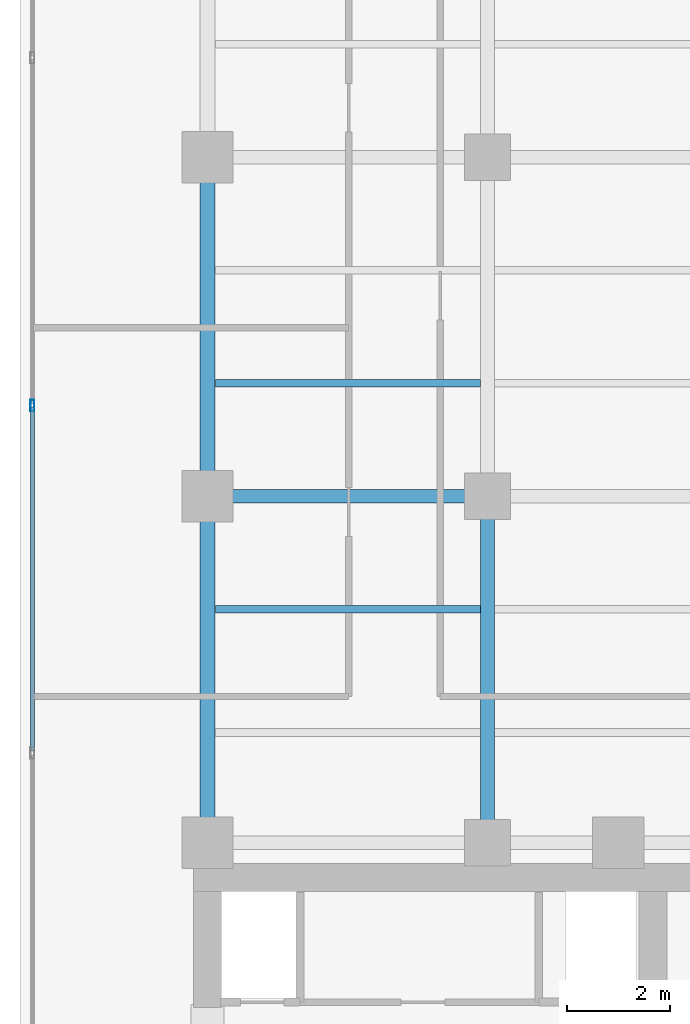
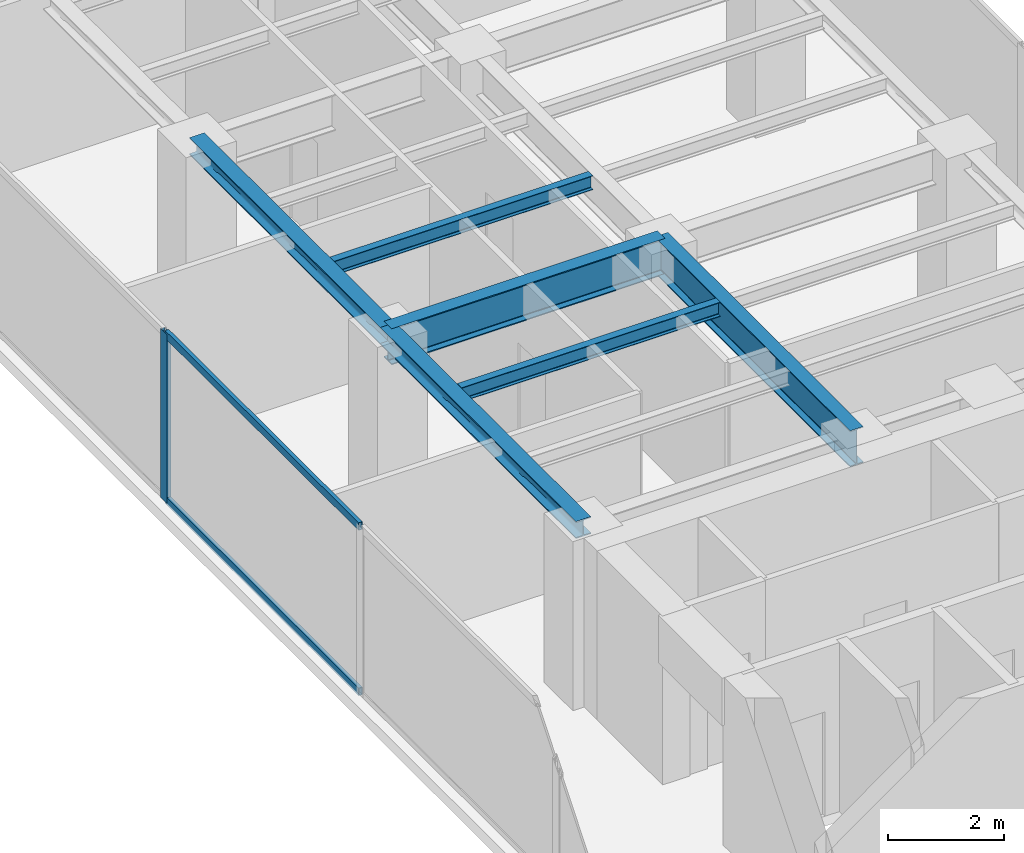
# One storey, part 8 of 22: 6 beams, 3 members, 1 element without a shape of its own.
"""IFC4 building model written with IfcOpenShell, lengths in metres."""

from ifc_helpers import new_model, si_unit, direction, frame, origin, origin_with_axes, origin_2d, place, context, subcontext, project, spatial, hollow_rectangle, i_section, extrude, source, transform, mapped, material, layer, layer_set, material_profile, profile_set, type_object, element, aggregate, save


model = new_model("IFC4")

# Units and contexts
model_context = context("Model", 3, precision=1e-05, world=origin(), true_north=direction((0.0, 1.0)))
body_context = subcontext(model_context, "Body", "Model", "MODEL_VIEW")
ifc_project = project(units=[si_unit("LENGTHUNIT", "METRE"), si_unit("AREAUNIT", "SQUARE_METRE"), si_unit("VOLUMEUNIT", "CUBIC_METRE"), si_unit("PLANEANGLEUNIT", "RADIAN"), si_unit("MASSUNIT", "GRAM", prefix="KILO")], contexts=[model_context])

# Site, building, storey
site_placement = place(None, origin())
site = spatial("IfcSite", under=ifc_project, at=site_placement, CompositionType="ELEMENT")
building_placement = place(site_placement, origin())
building = spatial("IfcBuilding", under=site, at=building_placement, Name="Kolvaren Waterfront Exchange", CompositionType="ELEMENT")
storey_placement = place(building_placement, frame((0.0, 0.0, 246.300048828125)))
storey = spatial("IfcBuildingStorey", under=building, at=storey_placement, Name="L63", CompositionType="ELEMENT", Elevation=246.300048828125)

# Beams
ifc_material_1 = material(Name="Steel S355", Category="steel")
ifc_material_profile_1 = material_profile(ifc_material_1, i_section(OverallWidth=0.300048828125, OverallDepth=0.360107421875, WebThickness=0.012451171875, FlangeThickness=0.0224609375, FilletRadius=0.027099609375, at=origin_2d()), Name="HEB360")
ifc_profile_set_1 = profile_set([ifc_material_profile_1], Name="Steel S355")
beam_type_1 = type_object("IfcBeamType", Name="STR-BM-HEB360", PredefinedType="SPANDREL", material=ifc_profile_set_1)
beam_1_placement = place(storey_placement, frame((7.449951171875, 24.449951171875, 3.3798828125), z_axis=(0.0, 1.0, 0.0), x_axis=(-1.0, 0.0, 0.0)))
element("IfcBeam", 1, at=beam_1_placement, inside=storey, type_object=beam_type_1, Name="L63 north-arm edge beam 1", PredefinedType="SPANDREL", context=body_context, shape_type="SweptSolid", body=[
    extrude(i_section(OverallWidth=0.300048828125, OverallDepth=0.360107421875, WebThickness=0.012451171875, FlangeThickness=0.0224609375, FilletRadius=0.027099609375, at=origin_2d()), origin(), (0.0, 0.0, 1.0), 6.75),
])
beam_2_placement = place(storey_placement, frame((7.449951171875, 31.199951171875, 3.3798828125), z_axis=(0.0, 1.0, 0.0), x_axis=(-1.0, 0.0, 0.0)))
element("IfcBeam", 2, at=beam_2_placement, inside=storey, type_object=beam_type_1, Name="L63 north-arm edge beam 2", PredefinedType="SPANDREL", context=body_context, shape_type="SweptSolid", body=[
    extrude(i_section(OverallWidth=0.300048828125, OverallDepth=0.360107421875, WebThickness=0.012451171875, FlangeThickness=0.0224609375, FilletRadius=0.027099609375, at=origin_2d()), origin(), (0.0, 0.0, 1.0), 6.60009765625),
])
ifc_material_profile_2 = material_profile(ifc_material_1, i_section(OverallWidth=0.14990234375, OverallDepth=0.300048828125, WebThickness=0.007080078125, FlangeThickness=0.0107421875, FilletRadius=0.014892578125, at=origin_2d()), Name="IPE300")
ifc_profile_set_2 = profile_set([ifc_material_profile_2], Name="Steel S355")
beam_type_2 = type_object("IfcBeamType", Name="STR-BM-IPE300", PredefinedType="JOIST", material=ifc_profile_set_2)
for number, where, z_axis, x_axis, name in (
    (3, (7.60205078125, 29.0, 3.409912109375), (1.0, 0.0, 0.0), (0.0, 1.0, 0.0), "L63 north-arm composite joist 2A"),
    (4, (7.60205078125, 33.39990234375, 3.409912109375), (1.0, 0.0, 0.0), (0.0, 1.0, 0.0), "L63 north-arm composite joist 3A"),
):
    element("IfcBeam", number, at=place(storey_placement, frame(where, z_axis=z_axis, x_axis=x_axis)), inside=storey, type_object=beam_type_2, Name=name, PredefinedType="JOIST", context=body_context, shape_type="SweptSolid", body=[
        extrude(i_section(OverallWidth=0.14990234375, OverallDepth=0.300048828125, WebThickness=0.007080078125, FlangeThickness=0.0107421875, FilletRadius=0.014892578125, at=origin_2d()), origin(), (0.0, 0.0, 1.0), 5.162353515625),
    ])
ifc_material_profile_3 = material_profile(ifc_material_1, i_section(OverallWidth=0.26708984375, OverallDepth=0.761962890625, WebThickness=0.014404296875, FlangeThickness=0.021484375, FilletRadius=0.01708984375, at=origin_2d()), Name="IPE750x173")
ifc_profile_set_3 = profile_set([ifc_material_profile_3], Name="Steel S355")
beam_type_3 = type_object("IfcBeamType", Name="STR-BM-IPE750", PredefinedType="BEAM", material=ifc_profile_set_3)
beam_3_placement = place(storey_placement, frame((7.449951171875, 31.199951171875, 3.178955078125), z_axis=(1.0, 0.0, 0.0), x_axis=(0.0, 1.0, 0.0)))
element("IfcBeam", 5, at=beam_3_placement, inside=storey, type_object=beam_type_3, Name="L63 north-arm girder 2A", PredefinedType="BEAM", context=body_context, shape_type="SweptSolid", body=[
    extrude(i_section(OverallWidth=0.26708984375, OverallDepth=0.761962890625, WebThickness=0.014404296875, FlangeThickness=0.021484375, FilletRadius=0.01708984375, at=origin_2d()), origin(), (0.0, 0.0, 1.0), 5.449951171875),
])
beam_4_placement = place(storey_placement, frame((12.89990234375, 24.449951171875, 3.178955078125), z_axis=(0.0, 1.0, 0.0), x_axis=(-1.0, 0.0, 0.0)))
element("IfcBeam", 6, at=beam_4_placement, inside=storey, type_object=beam_type_3, Name="L63 north-arm edge beam 1", PredefinedType="BEAM", context=body_context, shape_type="SweptSolid", body=[
    extrude(i_section(OverallWidth=0.26708984375, OverallDepth=0.761962890625, WebThickness=0.014404296875, FlangeThickness=0.021484375, FilletRadius=0.01708984375, at=origin_2d()), origin(), (0.0, 0.0, 1.0), 6.75),
])

# Curtain wall, members
ifc_material_2 = material(Name="Anodised aluminium 6063-T6", Category="aluminium")
ifc_layer = layer(ifc_material_2, 0.219970703125, Name="Anodised aluminium 6063-T6")
ifc_layer_set = layer_set([ifc_layer], Name="Anodised aluminium 6063-T6")
curtain_wall_type = type_object("IfcCurtainWallType", Name="ARC-CW-SYS2", PredefinedType="USERDEFINED", material=ifc_layer_set)
curtain_wall_placement = place(storey_placement, origin())
curtain_wall = element("IfcCurtainWall", 7, at=curtain_wall_placement, inside=storey, type_object=curtain_wall_type, Name="L63 stick curtain wall CW2 (CW-L63-W)", ObjectType="STICK CURTAIN WALL", PredefinedType="USERDEFINED")
ifc_material_profile_4 = material_profile(ifc_material_2, hollow_rectangle(XDim=0.080078125, YDim=0.219970703125, WallThickness=0.0048828125, at=origin_2d()), Name="ALU-MUL-220x80x5")
ifc_profile_set_4 = profile_set([ifc_material_profile_4], Name="Anodised aluminium 6063-T6")
member_type_1 = type_object("IfcMemberType", Name="ARC-CWM-220", PredefinedType="MULLION", material=ifc_profile_set_4)
shared_shape_1 = source(origin_with_axes(), body_context, "Body", "SweptSolid", [
    extrude(hollow_rectangle(XDim=0.080078125, YDim=0.219970703125, WallThickness=0.0048828125, at=origin_2d()), origin(), (0.0, 0.0, 1.0), 3.56005859375),
])
member_1_placement = place(storey_placement, frame((4.0400390625, 32.966552734375, 0.0), z_axis=(0.0, 0.0, 1.0), x_axis=(-1.0, 0.0, 0.0)))
member_1 = element("IfcMember", 8, at=member_1_placement, type_object=member_type_1, Name="CW2 mullion 5", PredefinedType="MULLION", context=body_context, shape_type="MappedRepresentation", body=[
    mapped(shared_shape_1, transform((0.0, 0.0, 0.0), x_axis=(1.0, 0.0, 0.0), y_axis=(0.0, 1.0, 0.0), z_axis=(0.0, 0.0, 1.0), scale=1.0)),
])
ifc_material_profile_5 = material_profile(ifc_material_2, hollow_rectangle(XDim=0.074951171875, YDim=0.159912109375, WallThickness=0.00439453125, at=origin_2d()), Name="ALU-TRN-160x75x4.5")
ifc_profile_set_5 = profile_set([ifc_material_profile_5], Name="Anodised aluminium 6063-T6")
member_type_2 = type_object("IfcMemberType", Name="ARC-CWT-160", PredefinedType="USERDEFINED", material=ifc_profile_set_5)
shared_shape_2 = source(origin_with_axes(), body_context, "Body", "SweptSolid", [
    extrude(hollow_rectangle(XDim=0.074951171875, YDim=0.159912109375, WallThickness=0.00439453125, at=origin_2d()), origin(), (0.0, 0.0, 1.0), 6.686767578125),
])
member_2_placement = place(storey_placement, frame((4.0400390625, 26.239990234375, 0.037353515625), z_axis=(0.0, 1.0, 0.0), x_axis=(-1.0, 0.0, 0.0)))
member_2 = element("IfcMember", 9, at=member_2_placement, type_object=member_type_2, Name="CW2 transom 4.1", ObjectType="TRANSOM", PredefinedType="USERDEFINED", context=body_context, shape_type="MappedRepresentation", body=[
    mapped(shared_shape_2, transform((0.0, 0.0, 0.0), x_axis=(1.0, 0.0, 0.0), y_axis=(0.0, 1.0, 0.0), z_axis=(0.0, 0.0, 1.0), scale=1.0)),
])
member_3_placement = place(storey_placement, frame((4.0400390625, 26.239990234375, 3.5224609375), z_axis=(0.0, 1.0, 0.0), x_axis=(-1.0, 0.0, 0.0)))
member_3 = element("IfcMember", 10, at=member_3_placement, type_object=member_type_2, Name="CW2 transom 4.2", ObjectType="TRANSOM", PredefinedType="USERDEFINED", context=body_context, shape_type="MappedRepresentation", body=[
    mapped(shared_shape_2, transform((0.0, 0.0, 0.0), x_axis=(1.0, 0.0, 0.0), y_axis=(0.0, 1.0, 0.0), z_axis=(0.0, 0.0, 1.0), scale=1.0)),
])
aggregate(curtain_wall, [member_1, member_2, member_3])

save(model, "model.ifc")
